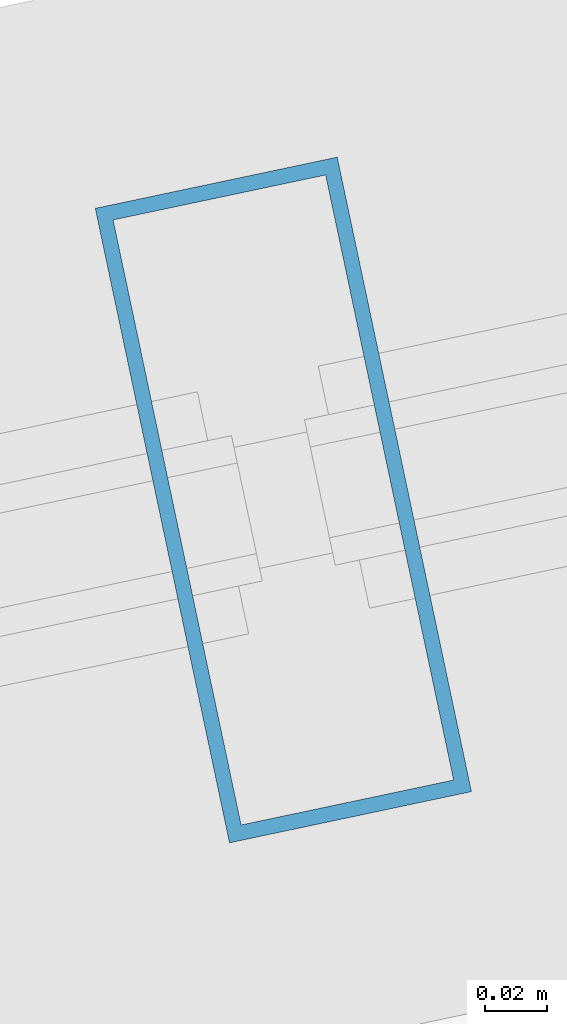
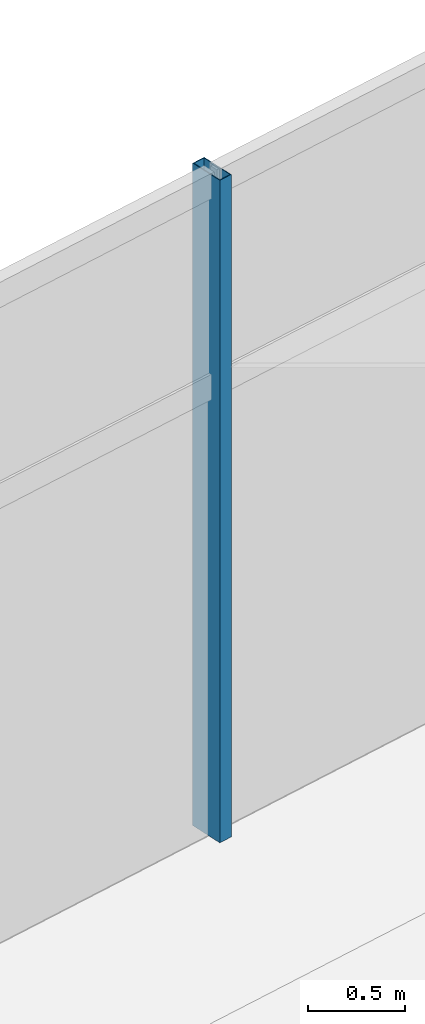
# One storey, part 114 of 184: 1 member, 1 element without a shape of its own.
"""IFC4 building model written with IfcOpenShell, lengths in metres."""

from ifc_helpers import new_model, si_unit, direction, frame, origin, origin_2d, place, context, subcontext, project, spatial, hollow_rectangle, extrude, material, layer, layer_set, material_profile, profile_set, type_object, element, aggregate, save


model = new_model("IFC4")

# Units and contexts
model_context = context("Model", 3, precision=1e-05, world=origin(), true_north=direction((0.0, 1.0)))
body_context = subcontext(model_context, "Body", "Model", "MODEL_VIEW")
ifc_project = project(units=[si_unit("LENGTHUNIT", "METRE"), si_unit("AREAUNIT", "SQUARE_METRE"), si_unit("VOLUMEUNIT", "CUBIC_METRE"), si_unit("PLANEANGLEUNIT", "RADIAN"), si_unit("MASSUNIT", "GRAM", prefix="KILO")], contexts=[model_context])

# Site, building, storey
site_placement = place(None, origin())
site = spatial("IfcSite", under=ifc_project, at=site_placement, CompositionType="ELEMENT")
building_placement = place(site_placement, origin())
building = spatial("IfcBuilding", under=site, at=building_placement, Name="Kazemori Nagisa Stadium", CompositionType="ELEMENT")
storey_placement = place(building_placement, frame((0.0, 0.0, 10.5400390625)))
storey = spatial("IfcBuildingStorey", under=building, at=storey_placement, Name="L02", CompositionType="ELEMENT", Elevation=10.5400390625)

# Curtain wall, member
ifc_material_1 = material(Name="Anodised aluminium 6063-T5", Category="aluminium")
ifc_layer = layer(ifc_material_1, 0.2099609375, Name="Anodised aluminium 6063-T5", Category="aluminium")
ifc_layer_set = layer_set([ifc_layer], Name="Anodised aluminium 6063-T5")
curtain_wall_type = type_object("IfcCurtainWallType", Name="CW_L02R3_105", PredefinedType="USERDEFINED", material=ifc_layer_set)
curtain_wall_placement = place(storey_placement, origin())
curtain_wall = element("IfcCurtainWall", 1, at=curtain_wall_placement, inside=storey, type_object=curtain_wall_type, Name="Unitised curtain wall CW-L02R3-105 L02", ObjectType="UNITISED CURTAIN WALL", PredefinedType="USERDEFINED")
ifc_material_2 = material(Name="Aluminium 6063-T5 anodised", Category="aluminium")
ifc_material_profile = material_profile(ifc_material_2, hollow_rectangle(XDim=0.080078125, YDim=0.2099609375, WallThickness=0.0048828125, at=origin_2d()), Name="ALU-MULL-80x210x5")
ifc_profile_set = profile_set([ifc_material_profile], Name="Aluminium 6063-T5 anodised")
member_type = type_object("IfcMemberType", Name="Mullion_M02", PredefinedType="MULLION", material=ifc_profile_set)
member_placement = place(storey_placement, frame((87.475830078125, 184.004638671875, 0.0), z_axis=(0.0, 0.0, 1.0), x_axis=(-0.978344955407, -0.206981033502, 0.0)))
member = element("IfcMember", 2, at=member_placement, type_object=member_type, Name="Curtain wall mullion CW-L02R3-105-M3", PredefinedType="MULLION", context=body_context, shape_type="SweptSolid", body=[
    extrude(hollow_rectangle(XDim=0.080078125, YDim=0.2099609375, WallThickness=0.0048828125, at=origin_2d()), origin(), (0.0, 0.0, 1.0), 4.18994140625),
])
aggregate(curtain_wall, [member])

save(model, "model.ifc")
